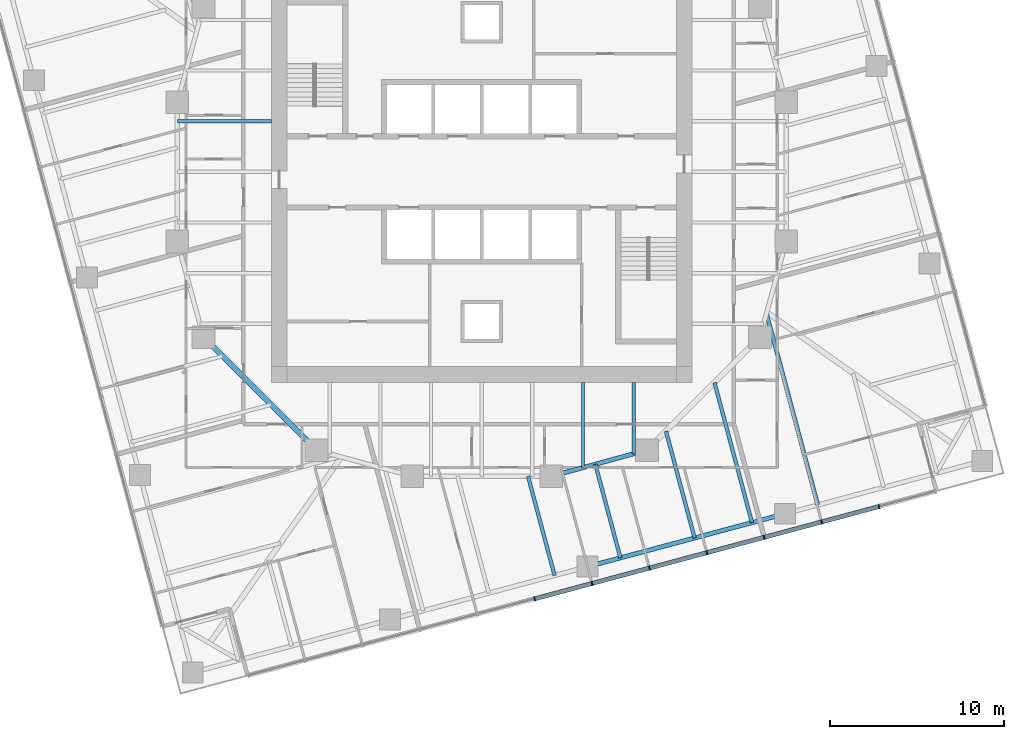
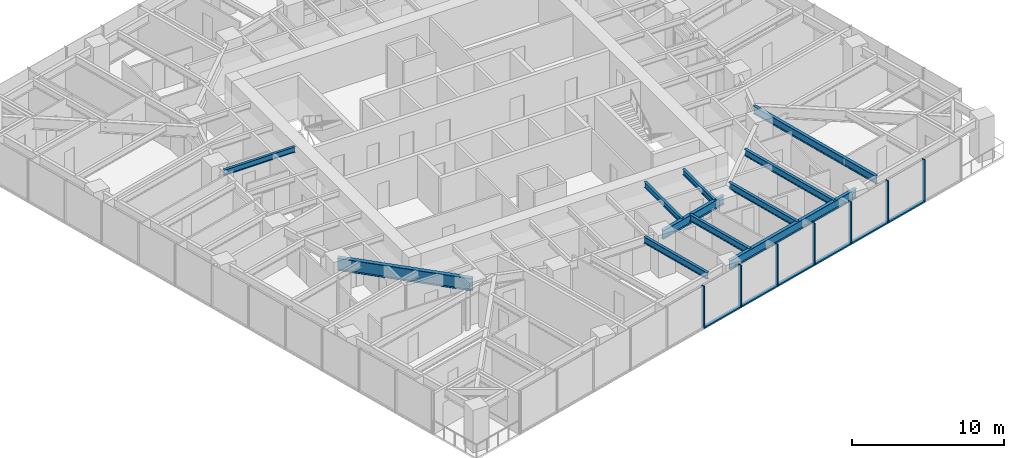
# One storey, part 3 of 13: 13 members, 11 beams, 1 element without a shape of its own.
"""IFC4 building model written with IfcOpenShell, lengths in metres."""

from ifc_helpers import new_model, si_unit, direction, frame, origin, origin_2d, place, context, subcontext, project, spatial, rectangle, i_section, extrude, material, material_profile, profile_set, type_object, element, aggregate, save


model = new_model("IFC4")

# Units and contexts
model_context = context("Model", 3, precision=1e-05, world=origin(), true_north=direction((0.0, 1.0)))
body_context = subcontext(model_context, "Body", "Model", "MODEL_VIEW")
ifc_project = project(units=[si_unit("LENGTHUNIT", "METRE"), si_unit("AREAUNIT", "SQUARE_METRE"), si_unit("VOLUMEUNIT", "CUBIC_METRE"), si_unit("PLANEANGLEUNIT", "RADIAN"), si_unit("MASSUNIT", "GRAM", prefix="KILO")], contexts=[model_context])

# Site, building, storey
site_placement = place(None, origin())
site = spatial("IfcSite", under=ifc_project, at=site_placement, CompositionType="ELEMENT")
building_placement = place(site_placement, origin())
building = spatial("IfcBuilding", under=site, at=building_placement, Name="Torsade Residences", CompositionType="ELEMENT")
storey_placement = place(building_placement, frame((0.0, 0.0, 115.0)))
storey = spatial("IfcBuildingStorey", under=building, at=storey_placement, Name="L31", CompositionType="ELEMENT", Elevation=115.0)

# Beams
ifc_material_1 = material(Name="Steel grade 300", Category="steel")
ifc_material_profile_1 = material_profile(ifc_material_1, i_section(OverallWidth=0.25, OverallDepth=0.699951171875, WebThickness=0.010009765625, FlangeThickness=0.02001953125, at=origin_2d()), Name="700WB130")
ifc_profile_set_1 = profile_set([ifc_material_profile_1], Name="Steel grade 300")
beam_type_1 = type_object("IfcBeamType", Name="EDGE BEAM 700WB130", PredefinedType="SPANDREL", material=ifc_profile_set_1)
beam_1_placement = place(storey_placement, frame((46.082275390625, 7.30078125, 2.89990234375), z_axis=(0.965928018634, 0.258810863021, 0.0), x_axis=(-0.258810863021, 0.965928018634, 0.0)))
element("IfcBeam", 1, at=beam_1_placement, inside=storey, type_object=beam_type_1, Name="Edge beam 03 L32", PredefinedType="SPANDREL", context=body_context, shape_type="SweptSolid", body=[
    extrude(i_section(OverallWidth=0.25, OverallDepth=0.699951171875, WebThickness=0.010009765625, FlangeThickness=0.02001953125, at=origin_2d()), origin(), (0.0, 0.0, 1.0), 11.75),
])
ifc_material_2 = material(Name="Steel grade 300", Category="steel")
ifc_material_profile_2 = material_profile(ifc_material_2, i_section(OverallWidth=0.18994140625, OverallDepth=0.4541015625, WebThickness=0.008544921875, FlangeThickness=0.0126953125, FilletRadius=0.011474609375, at=origin_2d()), Name="460UB67.1")
ifc_profile_set_2 = profile_set([ifc_material_profile_2], Name="Steel grade 300")
beam_type_2 = type_object("IfcBeamType", Name="INNER FLOOR BEAM 460UB67.1", PredefinedType="JOIST", material=ifc_profile_set_2)
beam_2_placement = place(storey_placement, frame((48.737548828125, 17.89990234375, 3.02294921875), z_axis=(0.0, -1.0, 0.0), x_axis=(1.0, 0.0, 0.0)))
element("IfcBeam", 2, at=beam_2_placement, inside=storey, type_object=beam_type_2, Name="Inner floor beam IS01 L32", PredefinedType="JOIST", context=body_context, shape_type="SweptSolid", body=[
    extrude(i_section(OverallWidth=0.18994140625, OverallDepth=0.4541015625, WebThickness=0.008544921875, FlangeThickness=0.0126953125, FilletRadius=0.011474609375, at=origin_2d()), origin(), (0.0, 0.0, 1.0), 4.10791015625),
])
beam_3_placement = place(storey_placement, frame((45.824951171875, 17.89990234375, 3.02294921875), z_axis=(0.0, -1.0, 0.0), x_axis=(1.0, 0.0, 0.0)))
element("IfcBeam", 3, at=beam_3_placement, inside=storey, type_object=beam_type_2, Name="Inner floor beam IS02 L32", PredefinedType="JOIST", context=body_context, shape_type="SweptSolid", body=[
    extrude(i_section(OverallWidth=0.18994140625, OverallDepth=0.4541015625, WebThickness=0.008544921875, FlangeThickness=0.0126953125, FilletRadius=0.011474609375, at=origin_2d()), origin(), (0.0, 0.0, 1.0), 4.902099609375),
])
beam_4_placement = place(storey_placement, frame((27.89990234375, 32.91259765625, 3.02294921875), z_axis=(-1.0, 0.0, 0.0), x_axis=(0.0, -1.0, 0.0)))
element("IfcBeam", 4, at=beam_4_placement, inside=storey, type_object=beam_type_2, Name="Inner floor beam IW03 L32", PredefinedType="JOIST", context=body_context, shape_type="SweptSolid", body=[
    extrude(i_section(OverallWidth=0.18994140625, OverallDepth=0.4541015625, WebThickness=0.008544921875, FlangeThickness=0.0126953125, FilletRadius=0.011474609375, at=origin_2d()), origin(), (0.0, 0.0, 1.0), 5.39990234375),
])

# Curtain wall, members
ifc_material_3 = material(Name="Aluminium and glass", Category="aluminium")
curtain_wall_type = type_object("IfcCurtainWallType", Name="FRITTED GLASS CURTAIN WALL MID ZONE", PredefinedType="NOTDEFINED", material=ifc_material_3)
curtain_wall_placement = place(storey_placement, origin())
curtain_wall = element("IfcCurtainWall", 5, at=curtain_wall_placement, inside=storey, type_object=curtain_wall_type, Name="Curtain wall L31 face 1", PredefinedType="NOTDEFINED")
ifc_material_4 = material(Name="Aluminium mullion", Category="aluminium")
ifc_material_profile_3 = material_profile(ifc_material_4, rectangle(XDim=0.25, YDim=0.080078125, at=origin_2d()), Name="MID ZONE CURTAIN WALL MULLION 250x80")
ifc_profile_set_3 = profile_set([ifc_material_profile_3], Name="Aluminium mullion")
member_type_1 = type_object("IfcMemberType", Name="MID ZONE CURTAIN WALL MULLION 250x80", PredefinedType="MULLION", material=ifc_profile_set_3)
member_1_placement = place(storey_placement, frame((43.040771484375, 5.450439453125, 0.0), z_axis=(0.0, 0.0, 1.0), x_axis=(-0.258819047783, 0.965925825571, 0.0)))
member_1 = element("IfcMember", 6, at=member_1_placement, type_object=member_type_1, Name="Mullion 6", PredefinedType="MULLION", context=body_context, shape_type="SweptSolid", body=[
    extrude(rectangle(XDim=0.25, YDim=0.080078125, at=origin_2d()), origin(), (0.0, 0.0, 1.0), 3.39990234375),
])
member_2_placement = place(storey_placement, frame((46.341064453125, 6.334716796875, 0.0), z_axis=(0.0, 0.0, 1.0), x_axis=(-0.258819047783, 0.965925825571, 0.0)))
member_2 = element("IfcMember", 7, at=member_2_placement, type_object=member_type_1, Name="Mullion 7", PredefinedType="MULLION", context=body_context, shape_type="SweptSolid", body=[
    extrude(rectangle(XDim=0.25, YDim=0.080078125, at=origin_2d()), origin(), (0.0, 0.0, 1.0), 3.39990234375),
])
member_3_placement = place(storey_placement, frame((49.641357421875, 7.218994140625, 0.0), z_axis=(0.0, 0.0, 1.0), x_axis=(-0.258819047783, 0.965925825571, 0.0)))
member_3 = element("IfcMember", 8, at=member_3_placement, type_object=member_type_1, Name="Mullion 8", PredefinedType="MULLION", context=body_context, shape_type="SweptSolid", body=[
    extrude(rectangle(XDim=0.25, YDim=0.080078125, at=origin_2d()), origin(), (0.0, 0.0, 1.0), 3.39990234375),
])
member_4_placement = place(storey_placement, frame((52.941650390625, 8.103515625, 0.0), z_axis=(0.0, 0.0, 1.0), x_axis=(-0.258819047783, 0.965925825571, 0.0)))
member_4 = element("IfcMember", 9, at=member_4_placement, type_object=member_type_1, Name="Mullion 9", PredefinedType="MULLION", context=body_context, shape_type="SweptSolid", body=[
    extrude(rectangle(XDim=0.25, YDim=0.080078125, at=origin_2d()), origin(), (0.0, 0.0, 1.0), 3.39990234375),
])
member_5_placement = place(storey_placement, frame((56.24169921875, 8.98779296875, 0.0), z_axis=(0.0, 0.0, 1.0), x_axis=(-0.258819047783, 0.965925825571, 0.0)))
member_5 = element("IfcMember", 10, at=member_5_placement, type_object=member_type_1, Name="Mullion 10", PredefinedType="MULLION", context=body_context, shape_type="SweptSolid", body=[
    extrude(rectangle(XDim=0.25, YDim=0.080078125, at=origin_2d()), origin(), (0.0, 0.0, 1.0), 3.39990234375),
])
member_6_placement = place(storey_placement, frame((59.5419921875, 9.8720703125, 0.0), z_axis=(0.0, 0.0, 1.0), x_axis=(-0.258819047783, 0.965925825571, 0.0)))
member_6 = element("IfcMember", 11, at=member_6_placement, type_object=member_type_1, Name="Mullion 11", PredefinedType="MULLION", context=body_context, shape_type="SweptSolid", body=[
    extrude(rectangle(XDim=0.25, YDim=0.080078125, at=origin_2d()), origin(), (0.0, 0.0, 1.0), 3.39990234375),
])
member_7_placement = place(storey_placement, frame((62.84228515625, 10.75634765625, 0.0), z_axis=(0.0, 0.0, 1.0), x_axis=(-0.258819047783, 0.965925825571, 0.0)))
member_7 = element("IfcMember", 12, at=member_7_placement, type_object=member_type_1, Name="Mullion 12", PredefinedType="MULLION", context=body_context, shape_type="SweptSolid", body=[
    extrude(rectangle(XDim=0.25, YDim=0.080078125, at=origin_2d()), origin(), (0.0, 0.0, 1.0), 3.39990234375),
])
ifc_material_5 = material(Name="Aluminium transom", Category="aluminium")
ifc_material_profile_4 = material_profile(ifc_material_5, rectangle(XDim=0.25, YDim=0.110107421875, at=origin_2d()), Name="MID ZONE CURTAIN WALL TRANSOM 250x110")
ifc_profile_set_4 = profile_set([ifc_material_profile_4], Name="Aluminium transom")
member_type_2 = type_object("IfcMemberType", Name="MID ZONE CURTAIN WALL TRANSOM 250x110", PredefinedType="USERDEFINED", material=ifc_profile_set_4)
member_8_placement = place(storey_placement, frame((43.079345703125, 5.4609375, 0.054931640625), z_axis=(0.965934335648, 0.258787285653, 0.0), x_axis=(-0.258787285653, 0.965934335648, 0.0)))
member_8 = element("IfcMember", 13, at=member_8_placement, type_object=member_type_2, Name="Transom 6.1", ObjectType="TRANSOM", PredefinedType="USERDEFINED", context=body_context, shape_type="SweptSolid", body=[
    extrude(rectangle(XDim=0.25, YDim=0.110107421875, at=origin_2d()), origin(), (0.0, 0.0, 1.0), 3.3369140625),
])
member_9_placement = place(storey_placement, frame((46.379638671875, 6.34521484375, 0.054931640625), z_axis=(0.965934335648, 0.258787285653, 0.0), x_axis=(-0.258787285653, 0.965934335648, 0.0)))
member_9 = element("IfcMember", 14, at=member_9_placement, type_object=member_type_2, Name="Transom 7.1", ObjectType="TRANSOM", PredefinedType="USERDEFINED", context=body_context, shape_type="SweptSolid", body=[
    extrude(rectangle(XDim=0.25, YDim=0.110107421875, at=origin_2d()), origin(), (0.0, 0.0, 1.0), 3.3369140625),
])
member_10_placement = place(storey_placement, frame((49.679931640625, 7.2294921875, 0.054931640625), z_axis=(0.965929435155, 0.258805576255, 0.0), x_axis=(-0.258805576255, 0.965929435155, 0.0)))
member_10 = element("IfcMember", 15, at=member_10_placement, type_object=member_type_2, Name="Transom 8.1", ObjectType="TRANSOM", PredefinedType="USERDEFINED", context=body_context, shape_type="SweptSolid", body=[
    extrude(rectangle(XDim=0.25, YDim=0.110107421875, at=origin_2d()), origin(), (0.0, 0.0, 1.0), 3.336669921875),
])
member_11_placement = place(storey_placement, frame((52.980224609375, 8.11376953125, 0.054931640625), z_axis=(0.965929435155, 0.258805576255, 0.0), x_axis=(-0.258805576255, 0.965929435155, 0.0)))
member_11 = element("IfcMember", 16, at=member_11_placement, type_object=member_type_2, Name="Transom 9.1", ObjectType="TRANSOM", PredefinedType="USERDEFINED", context=body_context, shape_type="SweptSolid", body=[
    extrude(rectangle(XDim=0.25, YDim=0.110107421875, at=origin_2d()), origin(), (0.0, 0.0, 1.0), 3.336669921875),
])
member_12_placement = place(storey_placement, frame((56.280517578125, 8.998046875, 0.054931640625), z_axis=(0.965929435155, 0.258805576255, 0.0), x_axis=(-0.258805576255, 0.965929435155, 0.0)))
member_12 = element("IfcMember", 17, at=member_12_placement, type_object=member_type_2, Name="Transom 10.1", ObjectType="TRANSOM", PredefinedType="USERDEFINED", context=body_context, shape_type="SweptSolid", body=[
    extrude(rectangle(XDim=0.25, YDim=0.110107421875, at=origin_2d()), origin(), (0.0, 0.0, 1.0), 3.336669921875),
])
member_13_placement = place(storey_placement, frame((59.580810546875, 9.88232421875, 0.054931640625), z_axis=(0.965929435155, 0.258805576255, 0.0), x_axis=(-0.258805576255, 0.965929435155, 0.0)))
member_13 = element("IfcMember", 18, at=member_13_placement, type_object=member_type_2, Name="Transom 11.1", ObjectType="TRANSOM", PredefinedType="USERDEFINED", context=body_context, shape_type="SweptSolid", body=[
    extrude(rectangle(XDim=0.25, YDim=0.110107421875, at=origin_2d()), origin(), (0.0, 0.0, 1.0), 3.336669921875),
])
aggregate(curtain_wall, [member_1, member_2, member_3, member_4, member_5, member_6, member_7, member_8, member_9, member_10, member_11, member_12, member_13])

# Beams
ifc_material_6 = material(Name="Steel grade 300", Category="steel")
ifc_material_profile_5 = material_profile(ifc_material_6, i_section(OverallWidth=0.300048828125, OverallDepth=1.0, WebThickness=0.01611328125, FlangeThickness=0.028076171875, at=origin_2d()), Name="1000WB215")
ifc_profile_set_5 = profile_set([ifc_material_profile_5], Name="Steel grade 300")
beam_type_3 = type_object("IfcBeamType", Name="RING CORNER GIRDER 1000WB215", PredefinedType="BEAM", material=ifc_profile_set_5)
beam_5_placement = place(storey_placement, frame((24.0, 20.5, 2.75), z_axis=(0.707106781187, -0.707106781187, 0.0), x_axis=(0.707106781187, 0.707106781187, 0.0)))
element("IfcBeam", 19, at=beam_5_placement, inside=storey, type_object=beam_type_3, Name="Ring girder IR11 L32", PredefinedType="BEAM", context=body_context, shape_type="SweptSolid", body=[
    extrude(i_section(OverallWidth=0.300048828125, OverallDepth=1.0, WebThickness=0.01611328125, FlangeThickness=0.028076171875, at=origin_2d()), origin(), (0.0, 0.0, 1.0), 9.1923828125),
])
ifc_material_7 = material(Name="Steel grade 300", Category="steel")
ifc_material_profile_6 = material_profile(ifc_material_7, i_section(OverallWidth=0.25, OverallDepth=0.699951171875, WebThickness=0.010009765625, FlangeThickness=0.02001953125, at=origin_2d()), Name="700WB130")
ifc_profile_set_6 = profile_set([ifc_material_profile_6], Name="Steel grade 300")
beam_type_4 = type_object("IfcBeamType", Name="RING GIRDER 700WB130", PredefinedType="BEAM", material=ifc_profile_set_6)
beam_6_placement = place(storey_placement, frame((44.0, 12.5, 2.89990234375), z_axis=(0.964763821238, 0.263117405792, 0.0), x_axis=(-0.263117405792, 0.964763821238, 0.0)))
element("IfcBeam", 20, at=beam_6_placement, inside=storey, type_object=beam_type_4, Name="Ring girder IR14 L32", PredefinedType="BEAM", context=body_context, shape_type="SweptSolid", body=[
    extrude(i_section(OverallWidth=0.25, OverallDepth=0.699951171875, WebThickness=0.010009765625, FlangeThickness=0.02001953125, at=origin_2d()), origin(), (0.0, 0.0, 1.0), 5.700927734375),
])
ifc_material_8 = material(Name="Steel grade 300", Category="steel")
ifc_material_profile_7 = material_profile(ifc_material_8, i_section(OverallWidth=0.208984375, OverallDepth=0.528076171875, WebThickness=0.009521484375, FlangeThickness=0.01318359375, FilletRadius=0.013916015625, at=origin_2d()), Name="530UB82.0")
ifc_profile_set_7 = profile_set([ifc_material_profile_7], Name="Steel grade 300")
beam_type_5 = type_object("IfcBeamType", Name="SECONDARY BEAM 530UB82.0", PredefinedType="JOIST", material=ifc_profile_set_7)
beam_7_placement = place(storey_placement, frame((44.190673828125, 6.7939453125, 2.986083984375), z_axis=(-0.258837996141, 0.965920748174, 0.0), x_axis=(-0.965920748174, -0.258837996141, 0.0)))
element("IfcBeam", 21, at=beam_7_placement, inside=storey, type_object=beam_type_5, Name="Floor beam FS06 L32", PredefinedType="JOIST", context=body_context, shape_type="SweptSolid", body=[
    extrude(i_section(OverallWidth=0.208984375, OverallDepth=0.528076171875, WebThickness=0.009521484375, FlangeThickness=0.01318359375, FilletRadius=0.013916015625, at=origin_2d()), origin(), (0.0, 0.0, 1.0), 5.907470703125),
])
beam_8_placement = place(storey_placement, frame((47.973876953125, 7.8076171875, 2.986083984375), z_axis=(-0.258829517553, 0.965923020144, 0.0), x_axis=(-0.965923020144, -0.258829517553, 0.0)))
element("IfcBeam", 22, at=beam_8_placement, inside=storey, type_object=beam_type_5, Name="Floor beam FS07 L32", PredefinedType="JOIST", context=body_context, shape_type="SweptSolid", body=[
    extrude(i_section(OverallWidth=0.208984375, OverallDepth=0.528076171875, WebThickness=0.009521484375, FlangeThickness=0.01318359375, FilletRadius=0.013916015625, at=origin_2d()), origin(), (0.0, 0.0, 1.0), 5.57275390625),
])
beam_9_placement = place(storey_placement, frame((52.239990234375, 8.95068359375, 2.986083984375), z_axis=(-0.258804520856, 0.965929717932, 0.0), x_axis=(-0.965929717932, -0.258804520856, 0.0)))
element("IfcBeam", 23, at=beam_9_placement, inside=storey, type_object=beam_type_5, Name="Floor beam FS08 L32", PredefinedType="JOIST", context=body_context, shape_type="SweptSolid", body=[
    extrude(i_section(OverallWidth=0.208984375, OverallDepth=0.528076171875, WebThickness=0.009521484375, FlangeThickness=0.01318359375, FilletRadius=0.013916015625, at=origin_2d()), origin(), (0.0, 0.0, 1.0), 6.360107421875),
])
beam_10_placement = place(storey_placement, frame((55.540283203125, 9.8349609375, 2.986083984375), z_axis=(-0.258833232221, 0.96592202475, 0.0), x_axis=(-0.96592202475, -0.258833232221, 0.0)))
element("IfcBeam", 24, at=beam_10_placement, inside=storey, type_object=beam_type_5, Name="Floor beam FS09 L32", PredefinedType="JOIST", context=body_context, shape_type="SweptSolid", body=[
    extrude(i_section(OverallWidth=0.208984375, OverallDepth=0.528076171875, WebThickness=0.009521484375, FlangeThickness=0.01318359375, FilletRadius=0.013916015625, at=origin_2d()), origin(), (0.0, 0.0, 1.0), 8.33251953125),
])
ifc_material_9 = material(Name="Steel grade 300", Category="steel")
ifc_material_profile_8 = material_profile(ifc_material_9, i_section(OverallWidth=0.22900390625, OverallDepth=0.612060546875, WebThickness=0.011962890625, FlangeThickness=0.01953125, FilletRadius=0.013916015625, at=origin_2d()), Name="610UB125")
ifc_profile_set_8 = profile_set([ifc_material_profile_8], Name="Steel grade 300")
beam_type_6 = type_object("IfcBeamType", Name="SECONDARY BEAM 610UB125", PredefinedType="JOIST", material=ifc_profile_set_8)
beam_11_placement = place(storey_placement, frame((59.323486328125, 10.8486328125, 2.944091796875), z_axis=(-0.258807068179, 0.965929035417, 0.0), x_axis=(-0.965929035417, -0.258807068179, 0.0)))
element("IfcBeam", 25, at=beam_11_placement, inside=storey, type_object=beam_type_6, Name="Floor beam FS10 L32", PredefinedType="JOIST", context=body_context, shape_type="SweptSolid", body=[
    extrude(i_section(OverallWidth=0.22900390625, OverallDepth=0.612060546875, WebThickness=0.011962890625, FlangeThickness=0.01953125, FilletRadius=0.013916015625, at=origin_2d()), origin(), (0.0, 0.0, 1.0), 11.40380859375),
])

save(model, "model.ifc")
